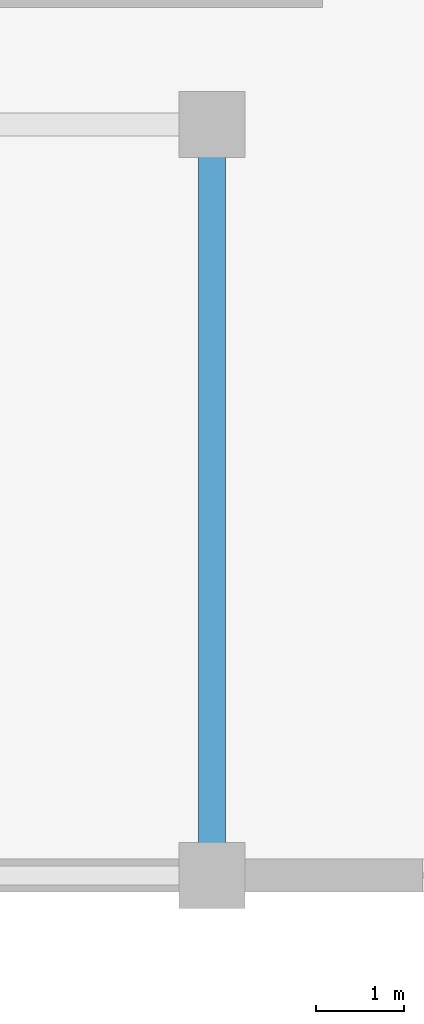
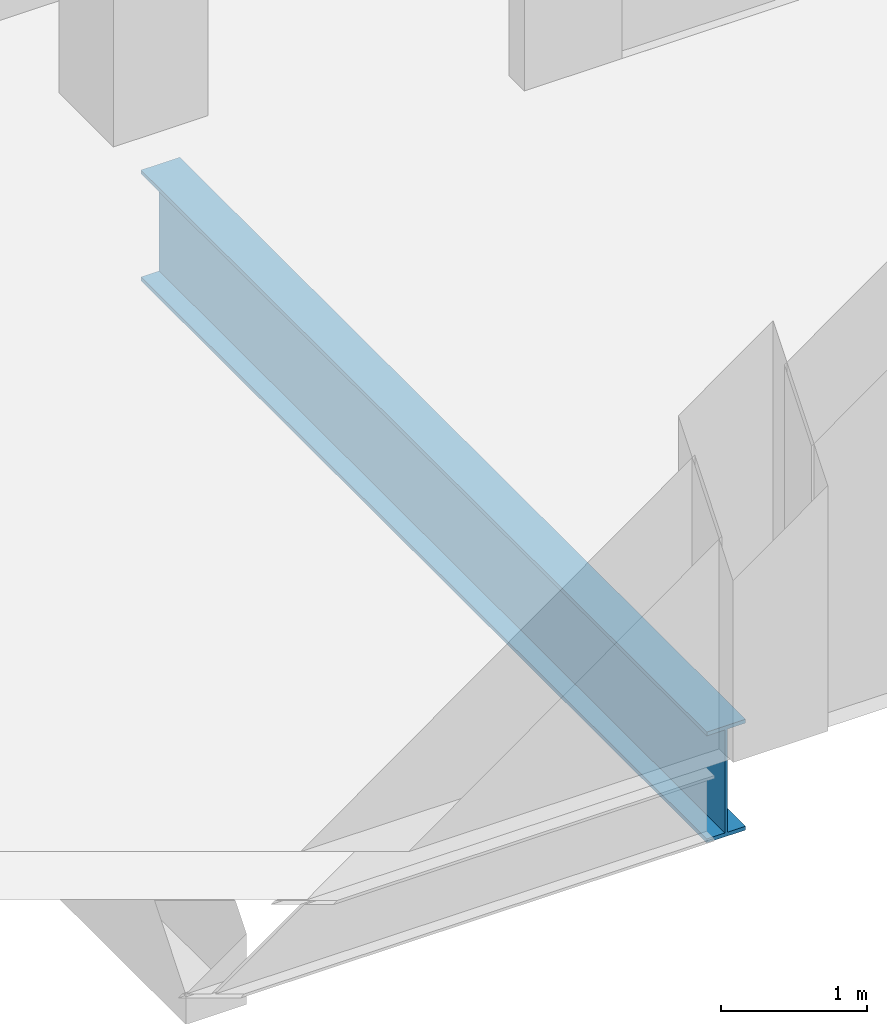
# One storey, part 25 of 77: 1 beam.
"""IFC4 building model written with IfcOpenShell, lengths in metres."""

from ifc_helpers import new_model, si_unit, direction, frame, origin, origin_2d, place, context, subcontext, project, spatial, i_section, extrude, material, material_profile, profile_set, type_object, element, save


model = new_model("IFC4")

# Units and contexts
model_context = context("Model", 3, precision=1e-05, world=origin(), true_north=direction((0.0, 1.0)))
body_context = subcontext(model_context, "Body", "Model", "MODEL_VIEW")
ifc_project = project(units=[si_unit("LENGTHUNIT", "METRE"), si_unit("AREAUNIT", "SQUARE_METRE"), si_unit("VOLUMEUNIT", "CUBIC_METRE"), si_unit("PLANEANGLEUNIT", "RADIAN"), si_unit("MASSUNIT", "GRAM", prefix="KILO")], contexts=[model_context])

# Site, building, storey
site_placement = place(None, origin())
site = spatial("IfcSite", under=ifc_project, at=site_placement, CompositionType="ELEMENT")
building_placement = place(site_placement, origin())
building = spatial("IfcBuilding", under=site, at=building_placement, Name="Solvento Point Concert Hall", CompositionType="ELEMENT")
storey_placement = place(building_placement, frame((0.0, 0.0, 10.199951171875)))
storey = spatial("IfcBuildingStorey", under=building, at=storey_placement, Name="L02", CompositionType="ELEMENT", Elevation=10.199951171875)

# Beam
ifc_material = material(Name="Structural Steel ASTM A992 Grade 50", Category="steel")
ifc_material_profile = material_profile(ifc_material, i_section(OverallWidth=0.3076171875, OverallDepth=0.927001953125, WebThickness=0.019287109375, FlangeThickness=0.031982421875, at=origin_2d()), Name="W36X194")
ifc_profile_set = profile_set([ifc_material_profile], Name="Structural Steel ASTM A992 Grade 50")
beam_type = type_object("IfcBeamType", Name="Girder_W36X194", PredefinedType="USERDEFINED", material=ifc_profile_set)
beam_placement = place(storey_placement, frame((66.0, 119.368896484375, -0.737548828125), z_axis=(0.0, 1.0, 0.0), x_axis=(-1.0, 0.0, 0.0)))
element("IfcBeam", 1, at=beam_placement, inside=storey, type_object=beam_type, Name="Primary girder B-61 L02", ObjectType="GIRDER", PredefinedType="USERDEFINED", context=body_context, shape_type="SweptSolid", body=[
    extrude(i_section(OverallWidth=0.3076171875, OverallDepth=0.927001953125, WebThickness=0.019287109375, FlangeThickness=0.031982421875, at=origin_2d()), origin(), (0.0, 0.0, 1.0), 7.76220703125),
])

save(model, "model.ifc")
